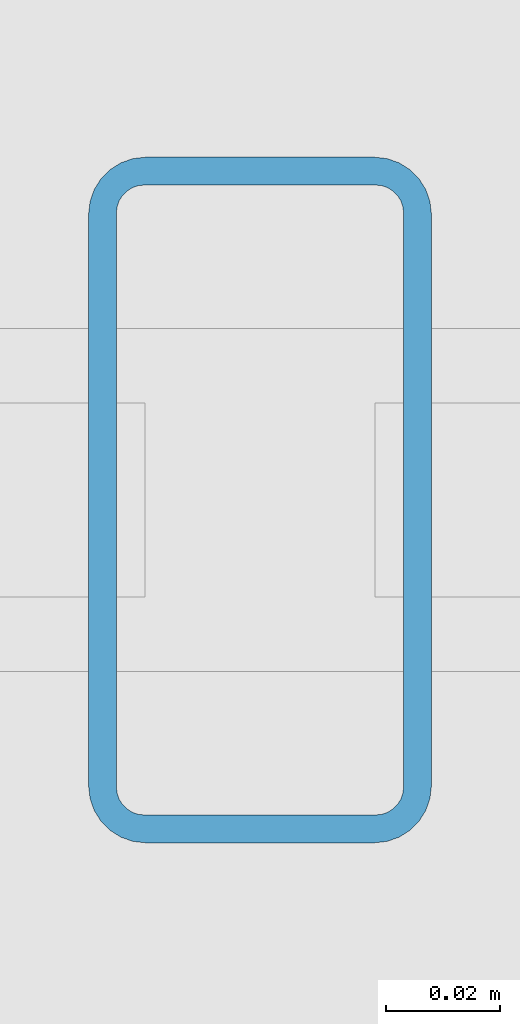
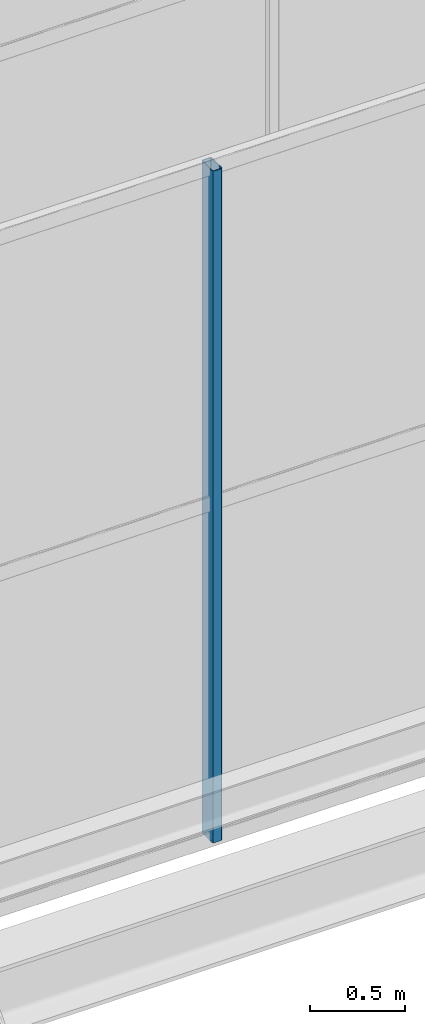
# One storey, part 33 of 77: 1 member, 1 element without a shape of its own.
"""IFC4 building model written with IfcOpenShell, lengths in metres."""

from ifc_helpers import new_model, si_unit, derived_unit, direction, frame, origin, origin_2d, place, context, subcontext, project, spatial, hollow_rectangle, extrude, material, material_profile, profile_set, type_object, element, aggregate, save


model = new_model("IFC4")

# Units and contexts
model_context = context("Model", 3, precision=1e-05, world=origin(), true_north=direction((0.0, 1.0)))
body_context = subcontext(model_context, "Body", "Model", "MODEL_VIEW")
ifc_project = project(units=[si_unit("LENGTHUNIT", "METRE"), si_unit("AREAUNIT", "SQUARE_METRE"), si_unit("VOLUMEUNIT", "CUBIC_METRE"), si_unit("PLANEANGLEUNIT", "RADIAN"), si_unit("MASSUNIT", "GRAM", prefix="KILO"), derived_unit("THERMALTRANSMITTANCEUNIT", [(si_unit("MASSUNIT", "GRAM", prefix="KILO"), 1), (si_unit("TIMEUNIT", "SECOND"), -3), (si_unit("THERMODYNAMICTEMPERATUREUNIT", "KELVIN"), -1)])], contexts=[model_context])

# Site, building, storey
site_placement = place(None, origin())
site = spatial("IfcSite", under=ifc_project, at=site_placement, CompositionType="ELEMENT")
building_placement = place(site_placement, origin())
building = spatial("IfcBuilding", under=site, at=building_placement, Name="Kharveza Railside Sports Centre", CompositionType="ELEMENT")
storey_placement = place(building_placement, frame((0.0, 0.0, 17.10009765625)))
storey = spatial("IfcBuildingStorey", under=building, at=storey_placement, Name="L04", CompositionType="ELEMENT", Elevation=17.10009765625)

# Curtain wall, member
ifc_material_1 = material(Name="Low-E solar-control laminated glass", Category="glass")
curtain_wall_type = type_object("IfcCurtainWallType", Name="CW-NL01", PredefinedType="NOTDEFINED", material=ifc_material_1)
curtain_wall_placement = place(storey_placement, origin())
curtain_wall = element("IfcCurtainWall", 1, at=curtain_wall_placement, inside=storey, type_object=curtain_wall_type, Name="CW-V1NL-6-3", PredefinedType="NOTDEFINED")
ifc_material_2 = material(Name="Anodised aluminium 6063-T6", Category="aluminium")
ifc_material_profile = material_profile(ifc_material_2, hollow_rectangle(XDim=0.06005859375, YDim=0.1201171875, WallThickness=0.0048828125, InnerFilletRadius=0.0048828125, OuterFilletRadius=0.010009765625, at=origin_2d()), Name="RHS 60x120x5.0")
ifc_profile_set = profile_set([ifc_material_profile], Name="Anodised aluminium 6063-T6")
member_type = type_object("IfcMemberType", Name="CW-ML05", PredefinedType="MULLION", material=ifc_profile_set)
member_placement = place(storey_placement, frame((53.239990234375, 60.685791015625, -0.550048828125), z_axis=(0.0, 0.0, 1.0), x_axis=(1.0, 0.0, 0.0)))
member = element("IfcMember", 2, at=member_placement, type_object=member_type, Name="CW-V1NL-6-3-ML2", PredefinedType="MULLION", context=body_context, shape_type="SweptSolid", body=[
    extrude(hollow_rectangle(XDim=0.06005859375, YDim=0.1201171875, WallThickness=0.0048828125, InnerFilletRadius=0.0048828125, OuterFilletRadius=0.010009765625, at=origin_2d()), origin(), (0.0, 0.0, 1.0), 4.300048828125),
])
aggregate(curtain_wall, [member])

save(model, "model.ifc")
